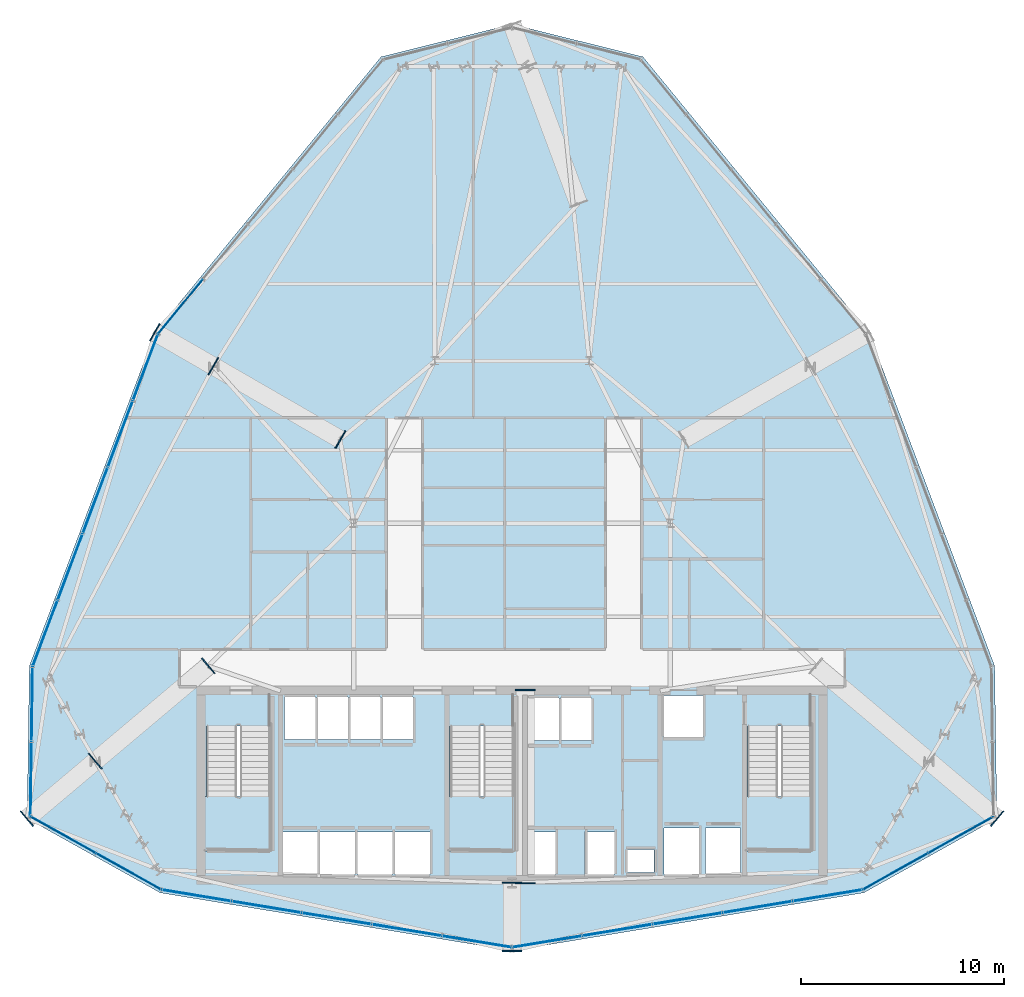
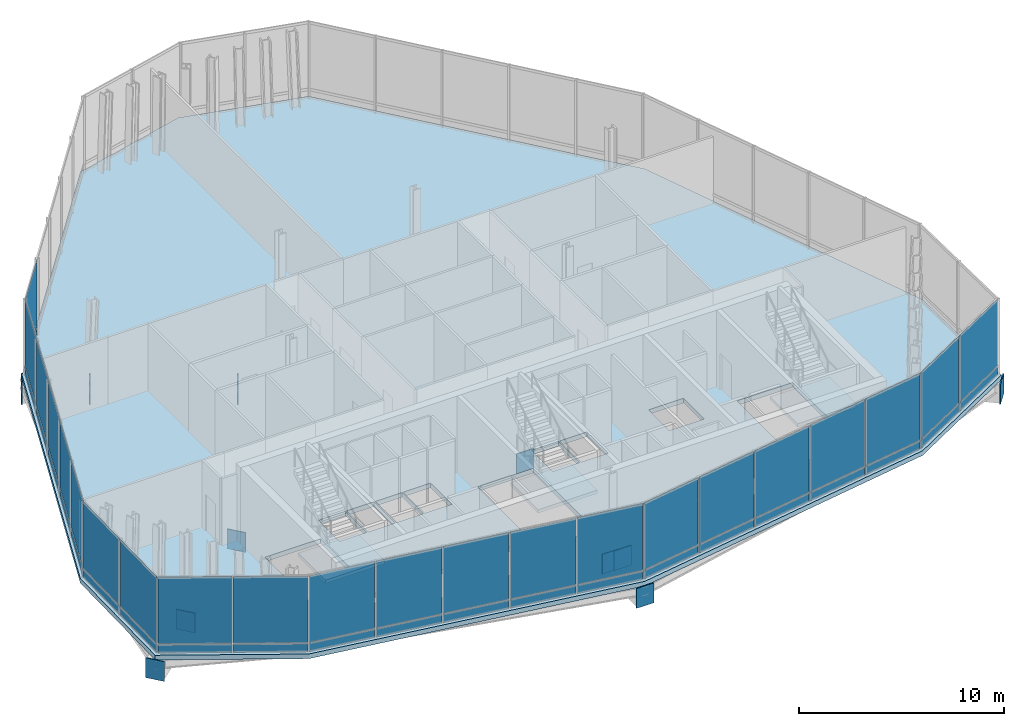
# One storey, part 19 of 26: 55 plates, 4 slabs, 10 elements without a shape of their own.
"""IFC4 building model written with IfcOpenShell, lengths in metres."""

from ifc_helpers import new_model, si_unit, direction, frame, origin, origin_2d, place, context, subcontext, project, spatial, polyline, rectangle, outline, extrude, material, layer, layer_set, type_object, element, aggregate, save


model = new_model("IFC4")

# Units and contexts
model_context = context("Model", 3, precision=1e-05, world=origin(), true_north=direction((0.0, 1.0)))
body_context = subcontext(model_context, "Body", "Model", "MODEL_VIEW")
ifc_project = project(units=[si_unit("LENGTHUNIT", "METRE"), si_unit("AREAUNIT", "SQUARE_METRE"), si_unit("VOLUMEUNIT", "CUBIC_METRE"), si_unit("PLANEANGLEUNIT", "RADIAN"), si_unit("MASSUNIT", "GRAM", prefix="KILO")], contexts=[model_context])

# Site, building, storey
site_placement = place(None, origin())
site = spatial("IfcSite", under=ifc_project, at=site_placement, CompositionType="ELEMENT")
building_placement = place(site_placement, origin())
building = spatial("IfcBuilding", under=site, at=building_placement, Name="Ndaravel Arena Tower", CompositionType="ELEMENT")
storey_placement = place(building_placement, frame((0.0, 0.0, 122.199951171875)))
storey = spatial("IfcBuildingStorey", under=building, at=storey_placement, Name="L28", CompositionType="ELEMENT", Elevation=122.199951171875)

# Plates
ifc_material_1 = material(Name="Steel S460", Category="steel")
ifc_layer_1 = layer(ifc_material_1, 0.06005859375)
ifc_layer_set_1 = layer_set([ifc_layer_1], Name="Steel S460")
plate_type_1 = type_object("IfcPlateType", Name="PLT-CAP-STF1", PredefinedType="USERDEFINED", material=ifc_layer_set_1)
for number, where, z_axis, x_axis, name in (
    (1, (27.03955078125, 16.17919921875, -1.419921875), (0.0, 0.0, 1.0), (-0.764808968487, -0.64425712392, 0.0), "L28 Hollow Section Sealed End Cap Plate HCP-020"),
    (2, (21.466064453125, 11.48486328125, -1.419921875), (0.0, 0.0, 1.0), (-0.764808968487, -0.64425712392, 0.0), "L28 Hollow Section Sealed End Cap Plate HCP-021"),
    (3, (18.10205078125, 8.651611328125, -1.419921875), (0.0, 0.0, 1.0), (-0.764808968487, -0.64425712392, 0.0), "L28 Hollow Section Sealed End Cap Plate HCP-022"),
    (4, (42.64990234375, 14.9951171875, -1.419921875), (0.0, 0.0, 1.0), (0.0, -1.0, 0.0), "L28 Hollow Section Sealed End Cap Plate HCP-023"),
    (5, (42.64990234375, 5.465087890625, -1.419921875), (0.0, 0.0, 1.0), (0.0, -1.0, 0.0), "L28 Hollow Section Sealed End Cap Plate HCP-024"),
    (6, (42.0, 5.4951171875, -1.419921875), (0.0, 0.0, 1.0), (0.0, -1.0, 0.0), "L28 Hollow Section Sealed End Cap Plate HCP-025"),
    (7, (42.0, 2.135009765625, -1.419921875), (0.0, 0.0, 1.0), (0.0, -1.0, 0.0), "L28 Hollow Section Sealed End Cap Plate HCP-026"),
    (8, (65.89794921875, 8.651611328125, -1.419921875), (0.0, 0.0, 1.0), (0.764808968487, -0.64425712392, 0.0), "L28 Hollow Section Sealed End Cap Plate HCP-029"),
    (9, (33.550048828125, 27.330810546875, -1.419921875), (0.0, 0.0, 1.0), (-0.866025403784, 0.5, 0.0), "L28 Hollow Section Sealed End Cap Plate HCP-036"),
    (10, (27.288818359375, 30.94580078125, -1.419921875), (0.0, 0.0, 1.0), (-0.866025403784, 0.5, 0.0), "L28 Hollow Section Sealed End Cap Plate HCP-037"),
    (11, (24.40478515625, 32.61083984375, -1.419921875), (0.0, 0.0, 1.0), (-0.866025403784, 0.5, 0.0), "L28 Hollow Section Sealed End Cap Plate HCP-038"),
):
    element("IfcPlate", number, at=place(storey_placement, frame(where, z_axis=z_axis, x_axis=x_axis)), inside=storey, type_object=plate_type_1, Name=name, ObjectType="STIFFENER_PLATE", PredefinedType="USERDEFINED", context=body_context, shape_type="SweptSolid", body=[
        extrude(rectangle(XDim=0.06005859375, YDim=0.97998046875, at=origin_2d()), origin(), (0.0, 0.0, 1.0), 1.179931640625),
    ])

# Curtain wall, plates
ifc_material_2 = material(Name="Aluminium", Category="aluminium")
ifc_layer_2 = layer(ifc_material_2, 0.179931640625)
ifc_layer_set_2 = layer_set([ifc_layer_2], Name="Aluminium")
curtain_wall_type = type_object("IfcCurtainWallType", Name="CW-SYS-04", PredefinedType="NOTDEFINED", material=ifc_layer_set_2)
curtain_wall_1_placement = place(storey_placement, origin())
curtain_wall_1 = element("IfcCurtainWall", 12, at=curtain_wall_1_placement, inside=storey, type_object=curtain_wall_type, Name="L28 Faceted Crystal Curtain Wall CW-L28-E01", PredefinedType="NOTDEFINED")
ifc_material_3 = material(Name="Glazing", Category="glass")
ifc_layer_3 = layer(ifc_material_3, 0.0400390625)
ifc_layer_set_3 = layer_set([ifc_layer_3], Name="Glazing")
plate_type_2 = type_object("IfcPlateType", Name="PLT-GLZ-LOWIRON", PredefinedType="CURTAIN_PANEL", material=ifc_layer_set_3)
plate_1_placement = place(storey_placement, frame((19.8876953125, 7.854248046875, 0.58984375), z_axis=(0.0, 0.0, 1.0), x_axis=(0.87317740032, -0.487402531354, 0.0)))
plate_1 = element("IfcPlate", 13, at=plate_1_placement, type_object=plate_type_2, Name="CW-L28-E01 Vision Glass Panel 01", PredefinedType="CURTAIN_PANEL", context=body_context, shape_type="SweptSolid", body=[
    extrude(rectangle(XDim=3.6142578125, YDim=0.035888671875, at=origin_2d()), origin(), (0.0, 0.0, 1.0), 3.949951171875),
])
plate_2_placement = place(storey_placement, frame((23.113525390625, 6.0537109375, 0.58984375), z_axis=(0.0, 0.0, 1.0), x_axis=(0.87317740032, -0.487402531354, 0.0)))
plate_2 = element("IfcPlate", 14, at=plate_2_placement, type_object=plate_type_2, Name="CW-L28-E01 Vision Glass Panel 02", PredefinedType="CURTAIN_PANEL", context=body_context, shape_type="SweptSolid", body=[
    extrude(rectangle(XDim=3.6142578125, YDim=0.035888671875, at=origin_2d()), origin(), (0.0, 0.0, 1.0), 3.949951171875),
])

curtain_wall_2_placement = place(storey_placement, origin())
curtain_wall_2 = element("IfcCurtainWall", 15, at=curtain_wall_2_placement, inside=storey, type_object=curtain_wall_type, Name="L28 Faceted Crystal Curtain Wall CW-L28-E02", PredefinedType="NOTDEFINED")
plate_3_placement = place(storey_placement, frame((26.453857421875, 4.869140625, 0.58984375), z_axis=(0.0, 0.0, 1.0), x_axis=(0.986739822482, -0.162309958809, 0.0)))
plate_3 = element("IfcPlate", 16, at=plate_3_placement, type_object=plate_type_2, Name="CW-L28-E02 Vision Glass Panel 01", PredefinedType="CURTAIN_PANEL", context=body_context, shape_type="SweptSolid", body=[
    extrude(rectangle(XDim=3.421142578125, YDim=0.035888671875, at=origin_2d()), origin(), (0.0, 0.0, 1.0), 3.949951171875),
])
plate_4_placement = place(storey_placement, frame((29.90869140625, 4.30078125, 0.58984375), z_axis=(0.0, 0.0, 1.0), x_axis=(0.986739822482, -0.162309958809, 0.0)))
plate_4 = element("IfcPlate", 17, at=plate_4_placement, type_object=plate_type_2, Name="CW-L28-E02 Vision Glass Panel 02", PredefinedType="CURTAIN_PANEL", context=body_context, shape_type="SweptSolid", body=[
    extrude(rectangle(XDim=3.421142578125, YDim=0.035888671875, at=origin_2d()), origin(), (0.0, 0.0, 1.0), 3.949951171875),
])
plate_5_placement = place(storey_placement, frame((33.36328125, 3.732666015625, 0.58984375), z_axis=(0.0, 0.0, 1.0), x_axis=(0.986739822482, -0.162309958809, 0.0)))
plate_5 = element("IfcPlate", 18, at=plate_5_placement, type_object=plate_type_2, Name="CW-L28-E02 Vision Glass Panel 03", PredefinedType="CURTAIN_PANEL", context=body_context, shape_type="SweptSolid", body=[
    extrude(rectangle(XDim=3.421142578125, YDim=0.035888671875, at=origin_2d()), origin(), (0.0, 0.0, 1.0), 3.949951171875),
])
plate_6_placement = place(storey_placement, frame((36.818115234375, 3.16455078125, 0.58984375), z_axis=(0.0, 0.0, 1.0), x_axis=(0.986739822482, -0.162309958809, 0.0)))
plate_6 = element("IfcPlate", 19, at=plate_6_placement, type_object=plate_type_2, Name="CW-L28-E02 Vision Glass Panel 04", PredefinedType="CURTAIN_PANEL", context=body_context, shape_type="SweptSolid", body=[
    extrude(rectangle(XDim=3.421142578125, YDim=0.035888671875, at=origin_2d()), origin(), (0.0, 0.0, 1.0), 3.949951171875),
])
plate_7_placement = place(storey_placement, frame((40.272705078125, 2.59619140625, 0.58984375), z_axis=(0.0, 0.0, 1.0), x_axis=(0.986739822482, -0.162309958809, 0.0)))
plate_7 = element("IfcPlate", 20, at=plate_7_placement, type_object=plate_type_2, Name="CW-L28-E02 Vision Glass Panel 05", PredefinedType="CURTAIN_PANEL", context=body_context, shape_type="SweptSolid", body=[
    extrude(rectangle(XDim=3.421142578125, YDim=0.035888671875, at=origin_2d()), origin(), (0.0, 0.0, 1.0), 3.949951171875),
])

curtain_wall_3_placement = place(storey_placement, origin())
curtain_wall_3 = element("IfcCurtainWall", 21, at=curtain_wall_3_placement, inside=storey, type_object=curtain_wall_type, Name="L28 Faceted Crystal Curtain Wall CW-L28-E03", PredefinedType="NOTDEFINED")
plate_8_placement = place(storey_placement, frame((43.727294921875, 2.59619140625, 0.58984375), z_axis=(0.0, 0.0, 1.0), x_axis=(0.986739822482, 0.162309958809, 0.0)))
plate_8 = element("IfcPlate", 22, at=plate_8_placement, type_object=plate_type_2, Name="CW-L28-E03 Vision Glass Panel 01", PredefinedType="CURTAIN_PANEL", context=body_context, shape_type="SweptSolid", body=[
    extrude(rectangle(XDim=3.421142578125, YDim=0.035888671875, at=origin_2d()), origin(), (0.0, 0.0, 1.0), 3.949951171875),
])
plate_9_placement = place(storey_placement, frame((47.18212890625, 3.16455078125, 0.58984375), z_axis=(0.0, 0.0, 1.0), x_axis=(0.986739822482, 0.162309958809, 0.0)))
plate_9 = element("IfcPlate", 23, at=plate_9_placement, type_object=plate_type_2, Name="CW-L28-E03 Vision Glass Panel 02", PredefinedType="CURTAIN_PANEL", context=body_context, shape_type="SweptSolid", body=[
    extrude(rectangle(XDim=3.421142578125, YDim=0.035888671875, at=origin_2d()), origin(), (0.0, 0.0, 1.0), 3.949951171875),
])
plate_10_placement = place(storey_placement, frame((50.63671875, 3.732666015625, 0.58984375), z_axis=(0.0, 0.0, 1.0), x_axis=(0.986739822482, 0.162309958809, 0.0)))
plate_10 = element("IfcPlate", 24, at=plate_10_placement, type_object=plate_type_2, Name="CW-L28-E03 Vision Glass Panel 03", PredefinedType="CURTAIN_PANEL", context=body_context, shape_type="SweptSolid", body=[
    extrude(rectangle(XDim=3.421142578125, YDim=0.035888671875, at=origin_2d()), origin(), (0.0, 0.0, 1.0), 3.949951171875),
])
plate_11_placement = place(storey_placement, frame((54.091552734375, 4.30078125, 0.58984375), z_axis=(0.0, 0.0, 1.0), x_axis=(0.986739822482, 0.162309958809, 0.0)))
plate_11 = element("IfcPlate", 25, at=plate_11_placement, type_object=plate_type_2, Name="CW-L28-E03 Vision Glass Panel 04", PredefinedType="CURTAIN_PANEL", context=body_context, shape_type="SweptSolid", body=[
    extrude(rectangle(XDim=3.421142578125, YDim=0.035888671875, at=origin_2d()), origin(), (0.0, 0.0, 1.0), 3.949951171875),
])
plate_12_placement = place(storey_placement, frame((57.546142578125, 4.869140625, 0.58984375), z_axis=(0.0, 0.0, 1.0), x_axis=(0.986739822482, 0.162309958809, 0.0)))
plate_12 = element("IfcPlate", 26, at=plate_12_placement, type_object=plate_type_2, Name="CW-L28-E03 Vision Glass Panel 05", PredefinedType="CURTAIN_PANEL", context=body_context, shape_type="SweptSolid", body=[
    extrude(rectangle(XDim=3.421142578125, YDim=0.035888671875, at=origin_2d()), origin(), (0.0, 0.0, 1.0), 3.949951171875),
])

curtain_wall_4_placement = place(storey_placement, origin())
curtain_wall_4 = element("IfcCurtainWall", 27, at=curtain_wall_4_placement, inside=storey, type_object=curtain_wall_type, Name="L28 Faceted Crystal Curtain Wall CW-L28-E04", PredefinedType="NOTDEFINED")
plate_13_placement = place(storey_placement, frame((60.886474609375, 6.0537109375, 0.58984375), z_axis=(0.0, 0.0, 1.0), x_axis=(0.87317740032, 0.487402531354, 0.0)))
plate_13 = element("IfcPlate", 28, at=plate_13_placement, type_object=plate_type_2, Name="CW-L28-E04 Vision Glass Panel 01", PredefinedType="CURTAIN_PANEL", context=body_context, shape_type="SweptSolid", body=[
    extrude(rectangle(XDim=3.6142578125, YDim=0.035888671875, at=origin_2d()), origin(), (0.0, 0.0, 1.0), 3.949951171875),
])
plate_14_placement = place(storey_placement, frame((64.1123046875, 7.854248046875, 0.58984375), z_axis=(0.0, 0.0, 1.0), x_axis=(0.87317740032, 0.487402531354, 0.0)))
plate_14 = element("IfcPlate", 29, at=plate_14_placement, type_object=plate_type_2, Name="CW-L28-E04 Vision Glass Panel 02", PredefinedType="CURTAIN_PANEL", context=body_context, shape_type="SweptSolid", body=[
    extrude(rectangle(XDim=3.6142578125, YDim=0.035888671875, at=origin_2d()), origin(), (0.0, 0.0, 1.0), 3.949951171875),
])

# Curtain wall, plate
curtain_wall_5_placement = place(storey_placement, origin())
curtain_wall_5 = element("IfcCurtainWall", 30, at=curtain_wall_5_placement, inside=storey, type_object=curtain_wall_type, Name="L28 Faceted Crystal Curtain Wall CW-L28-E10", PredefinedType="NOTDEFINED")
plate_15_placement = place(storey_placement, frame((25.666259765625, 33.8740234375, 0.58984375), z_axis=(0.0, 0.0, 1.0), x_axis=(-0.633934458857, -0.773386773791, 0.0)))
plate_15 = element("IfcPlate", 31, at=plate_15_placement, type_object=plate_type_2, Name="CW-L28-E10 Vision Glass Panel 05", PredefinedType="CURTAIN_PANEL", context=body_context, shape_type="SweptSolid", body=[
    extrude(rectangle(XDim=3.416015625, YDim=0.035888671875, at=origin_2d()), origin(), (0.0, 0.0, 1.0), 3.949951171875),
])

# Curtain wall, plates
curtain_wall_6_placement = place(storey_placement, origin())
curtain_wall_6 = element("IfcCurtainWall", 32, at=curtain_wall_6_placement, inside=storey, type_object=curtain_wall_type, Name="L28 Faceted Crystal Curtain Wall CW-L28-E11", PredefinedType="NOTDEFINED")
plate_16_placement = place(storey_placement, frame((23.940673828125, 30.88427734375, 0.58984375), z_axis=(0.0, 0.0, 1.0), x_axis=(-0.352805363625, -0.935696732599, 0.0)))
plate_16 = element("IfcPlate", 33, at=plate_16_placement, type_object=plate_type_2, Name="CW-L28-E11 Vision Glass Panel 01", PredefinedType="CURTAIN_PANEL", context=body_context, shape_type="SweptSolid", body=[
    extrude(rectangle(XDim=3.421142578125, YDim=0.035888671875, at=origin_2d()), origin(), (0.0, 0.0, 1.0), 3.949951171875),
])
plate_17_placement = place(storey_placement, frame((22.705322265625, 27.608154296875, 0.58984375), z_axis=(0.0, 0.0, 1.0), x_axis=(-0.352805363625, -0.935696732599, 0.0)))
plate_17 = element("IfcPlate", 34, at=plate_17_placement, type_object=plate_type_2, Name="CW-L28-E11 Vision Glass Panel 02", PredefinedType="CURTAIN_PANEL", context=body_context, shape_type="SweptSolid", body=[
    extrude(rectangle(XDim=3.421142578125, YDim=0.035888671875, at=origin_2d()), origin(), (0.0, 0.0, 1.0), 3.949951171875),
])
plate_18_placement = place(storey_placement, frame((21.47021484375, 24.332275390625, 0.58984375), z_axis=(0.0, 0.0, 1.0), x_axis=(-0.352805363625, -0.935696732599, 0.0)))
plate_18 = element("IfcPlate", 35, at=plate_18_placement, type_object=plate_type_2, Name="CW-L28-E11 Vision Glass Panel 03", PredefinedType="CURTAIN_PANEL", context=body_context, shape_type="SweptSolid", body=[
    extrude(rectangle(XDim=3.421142578125, YDim=0.035888671875, at=origin_2d()), origin(), (0.0, 0.0, 1.0), 3.949951171875),
])
plate_19_placement = place(storey_placement, frame((20.23486328125, 21.056396484375, 0.58984375), z_axis=(0.0, 0.0, 1.0), x_axis=(-0.352805363625, -0.935696732599, 0.0)))
plate_19 = element("IfcPlate", 36, at=plate_19_placement, type_object=plate_type_2, Name="CW-L28-E11 Vision Glass Panel 04", PredefinedType="CURTAIN_PANEL", context=body_context, shape_type="SweptSolid", body=[
    extrude(rectangle(XDim=3.421142578125, YDim=0.035888671875, at=origin_2d()), origin(), (0.0, 0.0, 1.0), 3.949951171875),
])
plate_20_placement = place(storey_placement, frame((18.99951171875, 17.7802734375, 0.58984375), z_axis=(0.0, 0.0, 1.0), x_axis=(-0.352805363625, -0.935696732599, 0.0)))
plate_20 = element("IfcPlate", 37, at=plate_20_placement, type_object=plate_type_2, Name="CW-L28-E11 Vision Glass Panel 05", PredefinedType="CURTAIN_PANEL", context=body_context, shape_type="SweptSolid", body=[
    extrude(rectangle(XDim=3.421142578125, YDim=0.035888671875, at=origin_2d()), origin(), (0.0, 0.0, 1.0), 3.949951171875),
])

curtain_wall_7_placement = place(storey_placement, origin())
curtain_wall_7 = element("IfcCurtainWall", 38, at=curtain_wall_7_placement, inside=storey, type_object=curtain_wall_type, Name="L28 Faceted Crystal Curtain Wall CW-L28-E12", PredefinedType="NOTDEFINED")
plate_21_placement = place(storey_placement, frame((18.355224609375, 14.29541015625, 0.58984375), z_axis=(0.0, 0.0, 1.0), x_axis=(-0.014503177598, -0.999894823389, 0.0)))
plate_21 = element("IfcPlate", 39, at=plate_21_placement, type_object=plate_type_2, Name="CW-L28-E12 Vision Glass Panel 01", PredefinedType="CURTAIN_PANEL", context=body_context, shape_type="SweptSolid", body=[
    extrude(rectangle(XDim=3.6142578125, YDim=0.035888671875, at=origin_2d()), origin(), (0.0, 0.0, 1.0), 3.949951171875),
])
plate_22_placement = place(storey_placement, frame((18.3017578125, 10.601318359375, 0.58984375), z_axis=(0.0, 0.0, 1.0), x_axis=(-0.014503177598, -0.999894823389, 0.0)))
plate_22 = element("IfcPlate", 40, at=plate_22_placement, type_object=plate_type_2, Name="CW-L28-E12 Vision Glass Panel 02", PredefinedType="CURTAIN_PANEL", context=body_context, shape_type="SweptSolid", body=[
    extrude(rectangle(XDim=3.6142578125, YDim=0.035888671875, at=origin_2d()), origin(), (0.0, 0.0, 1.0), 3.949951171875),
])

# Plate
ifc_material_4 = material(Name="Aluminium", Category="aluminium")
ifc_layer_4 = layer(ifc_material_4, 0.044921875)
ifc_layer_set_4 = layer_set([ifc_layer_4], Name="Aluminium")
plate_type_3 = type_object("IfcPlateType", Name="PLT-SPANDREL-ALU", PredefinedType="SHEET", material=ifc_layer_set_4)
plate_23_placement = place(storey_placement, frame((19.8876953125, 7.854248046875, 0.0400390625), z_axis=(0.0, 0.0, 1.0), x_axis=(0.87317740032, -0.487402531354, 0.0)))
plate_23 = element("IfcPlate", 41, at=plate_23_placement, type_object=plate_type_3, Name="CW-L28-E01 Spandrel Panel 01", PredefinedType="SHEET", context=body_context, shape_type="SweptSolid", body=[
    extrude(rectangle(XDim=3.6142578125, YDim=0.044921875, at=origin_2d()), origin(), (0.0, 0.0, 1.0), 0.469970703125),
])

plate_24_placement = place(storey_placement, frame((23.113525390625, 6.0537109375, 0.0400390625), z_axis=(0.0, 0.0, 1.0), x_axis=(0.87317740032, -0.487402531354, 0.0)))
plate_24 = element("IfcPlate", 42, at=plate_24_placement, type_object=plate_type_3, Name="CW-L28-E01 Spandrel Panel 02", PredefinedType="SHEET", context=body_context, shape_type="SweptSolid", body=[
    extrude(rectangle(XDim=3.6142578125, YDim=0.044921875, at=origin_2d()), origin(), (0.0, 0.0, 1.0), 0.469970703125),
])

aggregate(curtain_wall_1, [plate_23, plate_1, plate_24, plate_2])

plate_25_placement = place(storey_placement, frame((26.453857421875, 4.869140625, 0.0400390625), z_axis=(0.0, 0.0, 1.0), x_axis=(0.986739822482, -0.162309958809, 0.0)))
plate_25 = element("IfcPlate", 43, at=plate_25_placement, type_object=plate_type_3, Name="CW-L28-E02 Spandrel Panel 01", PredefinedType="SHEET", context=body_context, shape_type="SweptSolid", body=[
    extrude(rectangle(XDim=3.421142578125, YDim=0.044921875, at=origin_2d()), origin(), (0.0, 0.0, 1.0), 0.469970703125),
])

plate_26_placement = place(storey_placement, frame((29.90869140625, 4.30078125, 0.0400390625), z_axis=(0.0, 0.0, 1.0), x_axis=(0.986739822482, -0.162309958809, 0.0)))
plate_26 = element("IfcPlate", 44, at=plate_26_placement, type_object=plate_type_3, Name="CW-L28-E02 Spandrel Panel 02", PredefinedType="SHEET", context=body_context, shape_type="SweptSolid", body=[
    extrude(rectangle(XDim=3.421142578125, YDim=0.044921875, at=origin_2d()), origin(), (0.0, 0.0, 1.0), 0.469970703125),
])

plate_27_placement = place(storey_placement, frame((33.36328125, 3.732666015625, 0.0400390625), z_axis=(0.0, 0.0, 1.0), x_axis=(0.986739822482, -0.162309958809, 0.0)))
plate_27 = element("IfcPlate", 45, at=plate_27_placement, type_object=plate_type_3, Name="CW-L28-E02 Spandrel Panel 03", PredefinedType="SHEET", context=body_context, shape_type="SweptSolid", body=[
    extrude(rectangle(XDim=3.421142578125, YDim=0.044921875, at=origin_2d()), origin(), (0.0, 0.0, 1.0), 0.469970703125),
])

plate_28_placement = place(storey_placement, frame((36.818115234375, 3.16455078125, 0.0400390625), z_axis=(0.0, 0.0, 1.0), x_axis=(0.986739822482, -0.162309958809, 0.0)))
plate_28 = element("IfcPlate", 46, at=plate_28_placement, type_object=plate_type_3, Name="CW-L28-E02 Spandrel Panel 04", PredefinedType="SHEET", context=body_context, shape_type="SweptSolid", body=[
    extrude(rectangle(XDim=3.421142578125, YDim=0.044921875, at=origin_2d()), origin(), (0.0, 0.0, 1.0), 0.469970703125),
])

plate_29_placement = place(storey_placement, frame((40.272705078125, 2.59619140625, 0.0400390625), z_axis=(0.0, 0.0, 1.0), x_axis=(0.986739822482, -0.162309958809, 0.0)))
plate_29 = element("IfcPlate", 47, at=plate_29_placement, type_object=plate_type_3, Name="CW-L28-E02 Spandrel Panel 05", PredefinedType="SHEET", context=body_context, shape_type="SweptSolid", body=[
    extrude(rectangle(XDim=3.421142578125, YDim=0.044921875, at=origin_2d()), origin(), (0.0, 0.0, 1.0), 0.469970703125),
])

aggregate(curtain_wall_2, [plate_25, plate_3, plate_26, plate_4, plate_27, plate_5, plate_28, plate_6, plate_29, plate_7])

plate_30_placement = place(storey_placement, frame((43.727294921875, 2.59619140625, 0.0400390625), z_axis=(0.0, 0.0, 1.0), x_axis=(0.986739822482, 0.162309958809, 0.0)))
plate_30 = element("IfcPlate", 48, at=plate_30_placement, type_object=plate_type_3, Name="CW-L28-E03 Spandrel Panel 01", PredefinedType="SHEET", context=body_context, shape_type="SweptSolid", body=[
    extrude(rectangle(XDim=3.421142578125, YDim=0.044921875, at=origin_2d()), origin(), (0.0, 0.0, 1.0), 0.469970703125),
])

plate_31_placement = place(storey_placement, frame((47.18212890625, 3.16455078125, 0.0400390625), z_axis=(0.0, 0.0, 1.0), x_axis=(0.986739822482, 0.162309958809, 0.0)))
plate_31 = element("IfcPlate", 49, at=plate_31_placement, type_object=plate_type_3, Name="CW-L28-E03 Spandrel Panel 02", PredefinedType="SHEET", context=body_context, shape_type="SweptSolid", body=[
    extrude(rectangle(XDim=3.421142578125, YDim=0.044921875, at=origin_2d()), origin(), (0.0, 0.0, 1.0), 0.469970703125),
])

plate_32_placement = place(storey_placement, frame((50.63671875, 3.732666015625, 0.0400390625), z_axis=(0.0, 0.0, 1.0), x_axis=(0.986739822482, 0.162309958809, 0.0)))
plate_32 = element("IfcPlate", 50, at=plate_32_placement, type_object=plate_type_3, Name="CW-L28-E03 Spandrel Panel 03", PredefinedType="SHEET", context=body_context, shape_type="SweptSolid", body=[
    extrude(rectangle(XDim=3.421142578125, YDim=0.044921875, at=origin_2d()), origin(), (0.0, 0.0, 1.0), 0.469970703125),
])

plate_33_placement = place(storey_placement, frame((54.091552734375, 4.30078125, 0.0400390625), z_axis=(0.0, 0.0, 1.0), x_axis=(0.986739822482, 0.162309958809, 0.0)))
plate_33 = element("IfcPlate", 51, at=plate_33_placement, type_object=plate_type_3, Name="CW-L28-E03 Spandrel Panel 04", PredefinedType="SHEET", context=body_context, shape_type="SweptSolid", body=[
    extrude(rectangle(XDim=3.421142578125, YDim=0.044921875, at=origin_2d()), origin(), (0.0, 0.0, 1.0), 0.469970703125),
])

plate_34_placement = place(storey_placement, frame((57.546142578125, 4.869140625, 0.0400390625), z_axis=(0.0, 0.0, 1.0), x_axis=(0.986739822482, 0.162309958809, 0.0)))
plate_34 = element("IfcPlate", 52, at=plate_34_placement, type_object=plate_type_3, Name="CW-L28-E03 Spandrel Panel 05", PredefinedType="SHEET", context=body_context, shape_type="SweptSolid", body=[
    extrude(rectangle(XDim=3.421142578125, YDim=0.044921875, at=origin_2d()), origin(), (0.0, 0.0, 1.0), 0.469970703125),
])

aggregate(curtain_wall_3, [plate_30, plate_8, plate_31, plate_9, plate_32, plate_10, plate_33, plate_11, plate_34, plate_12])

plate_35_placement = place(storey_placement, frame((60.886474609375, 6.0537109375, 0.0400390625), z_axis=(0.0, 0.0, 1.0), x_axis=(0.87317740032, 0.487402531354, 0.0)))
plate_35 = element("IfcPlate", 53, at=plate_35_placement, type_object=plate_type_3, Name="CW-L28-E04 Spandrel Panel 01", PredefinedType="SHEET", context=body_context, shape_type="SweptSolid", body=[
    extrude(rectangle(XDim=3.6142578125, YDim=0.044921875, at=origin_2d()), origin(), (0.0, 0.0, 1.0), 0.469970703125),
])

plate_36_placement = place(storey_placement, frame((64.1123046875, 7.854248046875, 0.0400390625), z_axis=(0.0, 0.0, 1.0), x_axis=(0.87317740032, 0.487402531354, 0.0)))
plate_36 = element("IfcPlate", 54, at=plate_36_placement, type_object=plate_type_3, Name="CW-L28-E04 Spandrel Panel 02", PredefinedType="SHEET", context=body_context, shape_type="SweptSolid", body=[
    extrude(rectangle(XDim=3.6142578125, YDim=0.044921875, at=origin_2d()), origin(), (0.0, 0.0, 1.0), 0.469970703125),
])

aggregate(curtain_wall_4, [plate_35, plate_13, plate_36, plate_14])

plate_37_placement = place(storey_placement, frame((25.666259765625, 33.8740234375, 0.0400390625), z_axis=(0.0, 0.0, 1.0), x_axis=(-0.633934458857, -0.773386773791, 0.0)))
plate_37 = element("IfcPlate", 55, at=plate_37_placement, type_object=plate_type_3, Name="CW-L28-E10 Spandrel Panel 05", PredefinedType="SHEET", context=body_context, shape_type="SweptSolid", body=[
    extrude(rectangle(XDim=3.416015625, YDim=0.044921875, at=origin_2d()), origin(), (0.0, 0.0, 1.0), 0.469970703125),
])

aggregate(curtain_wall_5, [plate_37, plate_15])

plate_38_placement = place(storey_placement, frame((23.940673828125, 30.88427734375, 0.0400390625), z_axis=(0.0, 0.0, 1.0), x_axis=(-0.352805363625, -0.935696732599, 0.0)))
plate_38 = element("IfcPlate", 56, at=plate_38_placement, type_object=plate_type_3, Name="CW-L28-E11 Spandrel Panel 01", PredefinedType="SHEET", context=body_context, shape_type="SweptSolid", body=[
    extrude(rectangle(XDim=3.421142578125, YDim=0.044921875, at=origin_2d()), origin(), (0.0, 0.0, 1.0), 0.469970703125),
])

plate_39_placement = place(storey_placement, frame((22.705322265625, 27.608154296875, 0.0400390625), z_axis=(0.0, 0.0, 1.0), x_axis=(-0.352805363625, -0.935696732599, 0.0)))
plate_39 = element("IfcPlate", 57, at=plate_39_placement, type_object=plate_type_3, Name="CW-L28-E11 Spandrel Panel 02", PredefinedType="SHEET", context=body_context, shape_type="SweptSolid", body=[
    extrude(rectangle(XDim=3.421142578125, YDim=0.044921875, at=origin_2d()), origin(), (0.0, 0.0, 1.0), 0.469970703125),
])

plate_40_placement = place(storey_placement, frame((21.47021484375, 24.332275390625, 0.0400390625), z_axis=(0.0, 0.0, 1.0), x_axis=(-0.352805363625, -0.935696732599, 0.0)))
plate_40 = element("IfcPlate", 58, at=plate_40_placement, type_object=plate_type_3, Name="CW-L28-E11 Spandrel Panel 03", PredefinedType="SHEET", context=body_context, shape_type="SweptSolid", body=[
    extrude(rectangle(XDim=3.421142578125, YDim=0.044921875, at=origin_2d()), origin(), (0.0, 0.0, 1.0), 0.469970703125),
])

plate_41_placement = place(storey_placement, frame((20.23486328125, 21.056396484375, 0.0400390625), z_axis=(0.0, 0.0, 1.0), x_axis=(-0.352805363625, -0.935696732599, 0.0)))
plate_41 = element("IfcPlate", 59, at=plate_41_placement, type_object=plate_type_3, Name="CW-L28-E11 Spandrel Panel 04", PredefinedType="SHEET", context=body_context, shape_type="SweptSolid", body=[
    extrude(rectangle(XDim=3.421142578125, YDim=0.044921875, at=origin_2d()), origin(), (0.0, 0.0, 1.0), 0.469970703125),
])

plate_42_placement = place(storey_placement, frame((18.99951171875, 17.7802734375, 0.0400390625), z_axis=(0.0, 0.0, 1.0), x_axis=(-0.352805363625, -0.935696732599, 0.0)))
plate_42 = element("IfcPlate", 60, at=plate_42_placement, type_object=plate_type_3, Name="CW-L28-E11 Spandrel Panel 05", PredefinedType="SHEET", context=body_context, shape_type="SweptSolid", body=[
    extrude(rectangle(XDim=3.421142578125, YDim=0.044921875, at=origin_2d()), origin(), (0.0, 0.0, 1.0), 0.469970703125),
])

aggregate(curtain_wall_6, [plate_38, plate_16, plate_39, plate_17, plate_40, plate_18, plate_41, plate_19, plate_42, plate_20])

plate_43_placement = place(storey_placement, frame((18.355224609375, 14.29541015625, 0.0400390625), z_axis=(0.0, 0.0, 1.0), x_axis=(-0.014503177598, -0.999894823389, 0.0)))
plate_43 = element("IfcPlate", 61, at=plate_43_placement, type_object=plate_type_3, Name="CW-L28-E12 Spandrel Panel 01", PredefinedType="SHEET", context=body_context, shape_type="SweptSolid", body=[
    extrude(rectangle(XDim=3.6142578125, YDim=0.044921875, at=origin_2d()), origin(), (0.0, 0.0, 1.0), 0.469970703125),
])

plate_44_placement = place(storey_placement, frame((18.3017578125, 10.601318359375, 0.0400390625), z_axis=(0.0, 0.0, 1.0), x_axis=(-0.014503177598, -0.999894823389, 0.0)))
plate_44 = element("IfcPlate", 62, at=plate_44_placement, type_object=plate_type_3, Name="CW-L28-E12 Spandrel Panel 02", PredefinedType="SHEET", context=body_context, shape_type="SweptSolid", body=[
    extrude(rectangle(XDim=3.6142578125, YDim=0.044921875, at=origin_2d()), origin(), (0.0, 0.0, 1.0), 0.469970703125),
])

aggregate(curtain_wall_7, [plate_43, plate_21, plate_44, plate_22])

# Stair, slab
ifc_material_5 = material(Name="Concrete C40/50", Category="concrete")
stair_type = type_object("IfcStairType", Name="STAIR-CORE-HT", PredefinedType="HALF_TURN_STAIR", material=ifc_material_5)
stair_1_placement = place(storey_placement, origin())
stair_1 = element("IfcStair", 63, at=stair_1_placement, inside=storey, type_object=stair_type, Name="L28 ST-1", PredefinedType="HALF_TURN_STAIR")
ifc_material_6 = material(Name="Concrete C40/50", Category="concrete")
ifc_layer_5 = layer(ifc_material_6, 0.199951171875)
ifc_layer_set_5 = layer_set([ifc_layer_5], Name="Concrete C40/50")
slab_type_1 = type_object("IfcSlabType", Name="SLAB-STAIR-LANDING", PredefinedType="LANDING", material=ifc_layer_set_5)
slab_1_placement = place(storey_placement, frame((0.0, 0.0, 2.199951171875)))
slab_1 = element("IfcSlab", 64, at=slab_1_placement, type_object=slab_type_1, Name="ST-1 landing 1", PredefinedType="LANDING", context=body_context, shape_type="SweptSolid", body=[
    extrude(outline(polyline([(26.81005859375, 9.7451171875), (26.81005859375, 7.070068359375), (30.169921875, 7.070068359375), (30.169921875, 9.7451171875), (26.81005859375, 9.7451171875)])), origin(), (0.0, 0.0, 1.0), 0.2001953125),
])
aggregate(stair_1, [slab_1])

stair_2_placement = place(storey_placement, origin())
stair_2 = element("IfcStair", 65, at=stair_2_placement, inside=storey, type_object=stair_type, Name="L28 ST-2", PredefinedType="HALF_TURN_STAIR")
slab_2_placement = place(storey_placement, frame((0.0, 0.0, 2.199951171875)))
slab_2 = element("IfcSlab", 66, at=slab_2_placement, type_object=slab_type_1, Name="ST-2 landing 1", PredefinedType="LANDING", context=body_context, shape_type="SweptSolid", body=[
    extrude(outline(polyline([(38.81005859375, 9.7451171875), (38.81005859375, 7.070068359375), (42.169921875, 7.070068359375), (42.169921875, 9.7451171875), (38.81005859375, 9.7451171875)])), origin(), (0.0, 0.0, 1.0), 0.2001953125),
])
aggregate(stair_2, [slab_2])

stair_3_placement = place(storey_placement, origin())
stair_3 = element("IfcStair", 67, at=stair_3_placement, inside=storey, type_object=stair_type, Name="L28 ST-3", PredefinedType="HALF_TURN_STAIR")
slab_3_placement = place(storey_placement, frame((0.0, 0.0, 2.199951171875)))
slab_3 = element("IfcSlab", 68, at=slab_3_placement, type_object=slab_type_1, Name="ST-3 landing 1", PredefinedType="LANDING", context=body_context, shape_type="SweptSolid", body=[
    extrude(outline(polyline([(53.4599609375, 9.7451171875), (53.4599609375, 7.070068359375), (56.820068359375, 7.070068359375), (56.820068359375, 9.7451171875), (53.4599609375, 9.7451171875)])), origin(), (0.0, 0.0, 1.0), 0.2001953125),
])
aggregate(stair_3, [slab_3])

# Slab
ifc_material_7 = material(Name="Concrete C40/50", Category="concrete")
ifc_layer_6 = layer(ifc_material_7, 0.280029296875)
ifc_layer_set_6 = layer_set([ifc_layer_6], Name="Concrete C40/50")
slab_type_2 = type_object("IfcSlabType", Name="SLAB-TRANS-280", PredefinedType="FLOOR", material=ifc_layer_set_6)
slab_4_placement = place(storey_placement, frame((0.0, 0.0, -0.280029296875)))
element("IfcSlab", 69, at=slab_4_placement, inside=storey, type_object=slab_type_2, Name="L28 Structural Floor Slab", PredefinedType="FLOOR", context=body_context, shape_type="SweptSolid", body=[
    extrude(outline(polyline([(18.222412109375, 16.172607421875), (18.113525390625, 8.661376953125), (24.6728515625, 5.0), (42.0, 2.14990234375), (59.3271484375, 5.0), (65.886474609375, 8.661376953125), (65.777587890625, 16.172607421875), (59.582275390625, 32.603271484375), (48.450439453125, 46.18408203125), (42.0, 47.783935546875), (35.549560546875, 46.18408203125), (24.417724609375, 32.603271484375), (18.222412109375, 16.172607421875)]), holes=[polyline([(26.949951171875, 13.215087890625), (26.949951171875, 7.14990234375), (30.090087890625, 7.14990234375), (30.090087890625, 13.215087890625), (26.949951171875, 13.215087890625)]), polyline([(38.949951171875, 13.215087890625), (38.949951171875, 7.14990234375), (42.090087890625, 7.14990234375), (42.090087890625, 13.215087890625), (38.949951171875, 13.215087890625)]), polyline([(53.60009765625, 13.215087890625), (53.60009765625, 7.14990234375), (56.739990234375, 7.14990234375), (56.739990234375, 13.215087890625), (53.60009765625, 13.215087890625)]), polyline([(30.68505859375, 5.909912109375), (32.4150390625, 5.909912109375), (32.4150390625, 7.989990234375), (30.68505859375, 7.989990234375), (30.68505859375, 5.909912109375)]), polyline([(32.534912109375, 5.909912109375), (34.264892578125, 5.909912109375), (34.264892578125, 7.989990234375), (32.534912109375, 7.989990234375), (32.534912109375, 5.909912109375)]), polyline([(34.385009765625, 5.909912109375), (36.114990234375, 5.909912109375), (36.114990234375, 7.989990234375), (34.385009765625, 7.989990234375), (34.385009765625, 5.909912109375)]), polyline([(36.235107421875, 5.909912109375), (37.965087890625, 5.909912109375), (37.965087890625, 7.989990234375), (36.235107421875, 7.989990234375), (36.235107421875, 5.909912109375)]), polyline([(30.784912109375, 12.56005859375), (32.31494140625, 12.56005859375), (32.31494140625, 14.639892578125), (30.784912109375, 14.639892578125), (30.784912109375, 12.56005859375)]), polyline([(32.385009765625, 12.56005859375), (33.9150390625, 12.56005859375), (33.9150390625, 14.639892578125), (32.385009765625, 14.639892578125), (32.385009765625, 12.56005859375)]), polyline([(33.985107421875, 12.56005859375), (35.514892578125, 12.56005859375), (35.514892578125, 14.639892578125), (33.985107421875, 14.639892578125), (33.985107421875, 12.56005859375)]), polyline([(35.5849609375, 12.56005859375), (37.114990234375, 12.56005859375), (37.114990234375, 14.639892578125), (35.5849609375, 14.639892578125), (35.5849609375, 12.56005859375)]), polyline([(42.659912109375, 5.909912109375), (44.139892578125, 5.909912109375), (44.139892578125, 7.989990234375), (42.659912109375, 7.989990234375), (42.659912109375, 5.909912109375)]), polyline([(45.56005859375, 5.909912109375), (47.0400390625, 5.909912109375), (47.0400390625, 7.989990234375), (45.56005859375, 7.989990234375), (45.56005859375, 5.909912109375)]), polyline([(42.784912109375, 12.510009765625), (44.31494140625, 12.510009765625), (44.31494140625, 14.590087890625), (42.784912109375, 14.590087890625), (42.784912109375, 12.510009765625)]), polyline([(44.385009765625, 12.510009765625), (45.9150390625, 12.510009765625), (45.9150390625, 14.590087890625), (44.385009765625, 14.590087890625), (44.385009765625, 12.510009765625)]), polyline([(49.485107421875, 5.909912109375), (51.215087890625, 5.909912109375), (51.215087890625, 8.18994140625), (49.485107421875, 8.18994140625), (49.485107421875, 5.909912109375)]), polyline([(51.534912109375, 5.909912109375), (53.264892578125, 5.909912109375), (53.264892578125, 8.18994140625), (51.534912109375, 8.18994140625), (51.534912109375, 5.909912109375)]), polyline([(49.4599609375, 12.68505859375), (51.43994140625, 12.68505859375), (51.43994140625, 14.715087890625), (49.4599609375, 14.715087890625), (49.4599609375, 12.68505859375)]), polyline([(47.699951171875, 6.0), (49.0, 6.0), (49.0, 7.139892578125), (47.699951171875, 7.139892578125), (47.699951171875, 6.0)])]), origin(), (0.0, 0.0, 1.0), 0.280029296875),
])

save(model, "model.ifc")
